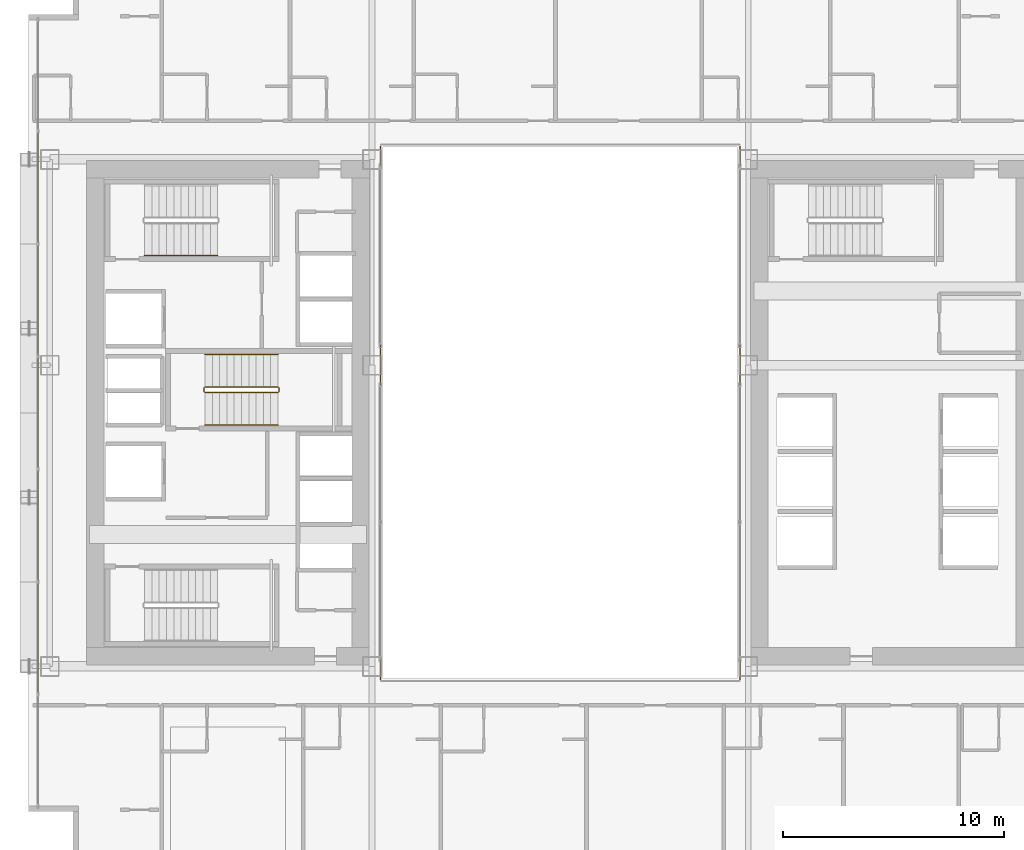
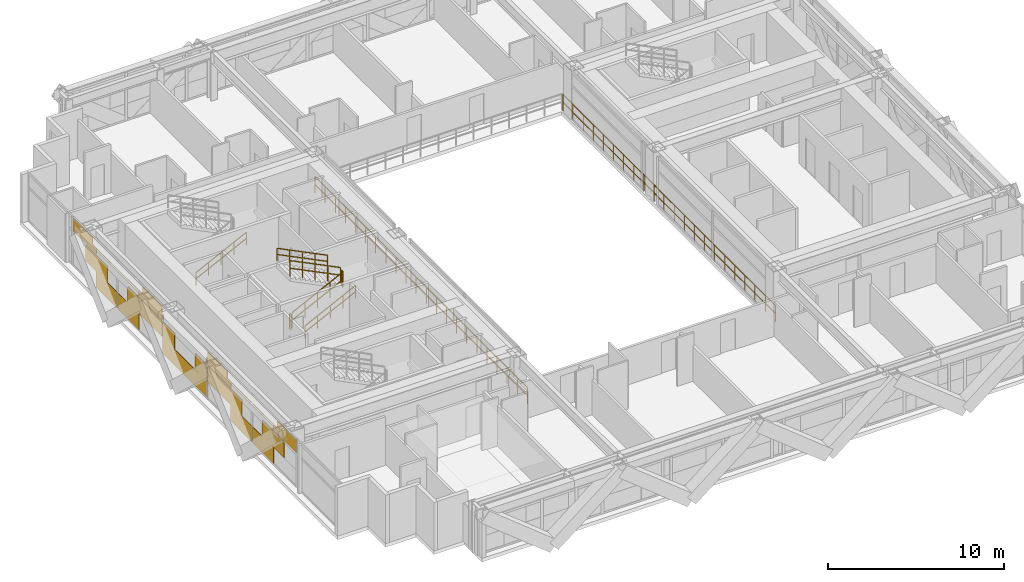
# One storey, part 39 of 41: 9 railings, 1 covering.
"""IFC4 building model written with IfcOpenShell, lengths in metres."""

from ifc_helpers import new_model, si_unit, direction, frame, origin, origin_2d, place, context, subcontext, project, spatial, rectangle, extrude, material, layer, layer_set, type_object, element, save


model = new_model("IFC4")

# Units and contexts
model_context = context("Model", 3, precision=1e-05, world=origin(), true_north=direction((0.0, 1.0)))
body_context = subcontext(model_context, "Body", "Model", "MODEL_VIEW")
ifc_project = project(units=[si_unit("LENGTHUNIT", "METRE"), si_unit("AREAUNIT", "SQUARE_METRE"), si_unit("VOLUMEUNIT", "CUBIC_METRE"), si_unit("PLANEANGLEUNIT", "RADIAN"), si_unit("MASSUNIT", "GRAM", prefix="KILO")], contexts=[model_context])

# Site, building, storey
site_placement = place(None, origin())
site = spatial("IfcSite", under=ifc_project, at=site_placement, CompositionType="ELEMENT")
building_placement = place(site_placement, origin())
building = spatial("IfcBuilding", under=site, at=building_placement, Name="Ocotamira Hotel", CompositionType="ELEMENT")
storey_placement = place(building_placement, frame((0.0, 0.0, 52.800048828125)))
storey = spatial("IfcBuildingStorey", under=building, at=storey_placement, Name="L12", CompositionType="ELEMENT", Elevation=52.800048828125)

# Covering
ifc_material_1 = material(Name="Insulated pale-metal aluminium spandrel panel", Category="aluminium")
ifc_layer = layer(ifc_material_1, 0.044921875)
ifc_layer_set = layer_set([ifc_layer], Name="Insulated pale-metal aluminium spandrel panel")
covering_type = type_object("IfcCoveringType", Name="COV-INFILL-45", PredefinedType="CLADDING", material=ifc_layer_set)
covering_placement = place(storey_placement, origin())
element("IfcCovering", 1, at=covering_placement, inside=storey, type_object=covering_type, Name="L12 Curtain Wall Infill CW-2 CW-L12-W", PredefinedType="CLADDING", context=body_context, shape_type="SweptSolid", body=[
    extrude(rectangle(XDim=2.49658203125, YDim=0.044921875, at=origin_2d()), frame((8.419921875, 15.977783203125, 1.194091796875), z_axis=(0.0, 0.0, 1.0), x_axis=(0.0, 1.0, 0.0)), (0.0, 0.0, 1.0), 1.11767578125),
    extrude(rectangle(XDim=2.415283203125, YDim=0.044921875, at=origin_2d()), frame((8.419921875, 17.123291015625, 0.075439453125), z_axis=(0.0, 0.0, 1.0), x_axis=(0.0, 1.0, 0.0)), (0.0, 0.0, 1.0), 1.11767578125),
    extrude(rectangle(XDim=2.634521484375, YDim=0.044921875, at=origin_2d()), frame((8.419921875, 14.6435546875, 2.38818359375), z_axis=(0.0, 0.0, 1.0), x_axis=(0.0, 1.0, 0.0)), (0.0, 0.0, 1.0), 0.366943359375),
    extrude(rectangle(XDim=5.004638671875, YDim=0.044921875, at=origin_2d()), frame((8.419921875, 15.82861328125, 2.755859375), z_axis=(0.0, 0.0, 1.0), x_axis=(0.0, 1.0, 0.0)), (0.0, 0.0, 1.0), 0.033203125),
    extrude(rectangle(XDim=2.2080078125, YDim=0.044921875, at=origin_2d()), frame((8.419921875, 14.43017578125, 2.79052734375), z_axis=(0.0, 0.0, 1.0), x_axis=(0.0, 1.0, 0.0)), (0.0, 0.0, 1.0), 0.484130859375),
    extrude(rectangle(XDim=2.40576171875, YDim=0.044921875, at=origin_2d()), frame((8.419921875, 19.61474609375, 0.075439453125), z_axis=(0.0, 0.0, 1.0), x_axis=(0.0, 1.0, 0.0)), (0.0, 0.0, 1.0), 1.11767578125),
    extrude(rectangle(XDim=3.90966796875, YDim=0.044921875, at=origin_2d()), frame((8.419921875, 21.4619140625, 1.194091796875), z_axis=(0.0, 0.0, 1.0), x_axis=(0.0, 1.0, 0.0)), (0.0, 0.0, 1.0), 1.11767578125),
    extrude(rectangle(XDim=5.004638671875, YDim=0.044921875, at=origin_2d()), frame((8.419921875, 20.914306640625, 2.755859375), z_axis=(0.0, 0.0, 1.0), x_axis=(0.0, 1.0, 0.0)), (0.0, 0.0, 1.0), 0.033203125),
    extrude(rectangle(XDim=2.64404296875, YDim=0.044921875, at=origin_2d()), frame((8.419921875, 22.094482421875, 2.38818359375), z_axis=(0.0, 0.0, 1.0), x_axis=(0.0, 1.0, 0.0)), (0.0, 0.0, 1.0), 0.366943359375),
    extrude(rectangle(XDim=2.217529296875, YDim=0.044921875, at=origin_2d()), frame((8.419921875, 22.307861328125, 2.79052734375), z_axis=(0.0, 0.0, 1.0), x_axis=(0.0, 1.0, 0.0)), (0.0, 0.0, 1.0), 0.484130859375),
    extrude(rectangle(XDim=5.004638671875, YDim=0.044921875, at=origin_2d()), frame((8.419921875, 26.0, 0.075439453125), z_axis=(0.0, 0.0, 1.0), x_axis=(0.0, 1.0, 0.0)), (0.0, 0.0, 1.0), 1.11767578125),
    extrude(rectangle(XDim=1.362060546875, YDim=0.044921875, at=origin_2d()), frame((8.419921875, 24.1787109375, 1.194091796875), z_axis=(0.0, 0.0, 1.0), x_axis=(0.0, 1.0, 0.0)), (0.0, 0.0, 1.0), 1.11767578125),
    extrude(rectangle(XDim=1.362060546875, YDim=0.044921875, at=origin_2d()), frame((8.419921875, 27.8212890625, 1.194091796875), z_axis=(0.0, 0.0, 1.0), x_axis=(0.0, 1.0, 0.0)), (0.0, 0.0, 1.0), 1.11767578125),
    extrude(rectangle(XDim=0.096435546875, YDim=0.044921875, at=origin_2d()), frame((8.419921875, 23.5458984375, 2.387939453125), z_axis=(0.0, 0.0, 1.0), x_axis=(0.0, 1.0, 0.0)), (0.0, 0.0, 1.0), 0.4013671875),
    extrude(rectangle(XDim=0.096435546875, YDim=0.044921875, at=origin_2d()), frame((8.419921875, 28.4541015625, 2.387939453125), z_axis=(0.0, 0.0, 1.0), x_axis=(0.0, 1.0, 0.0)), (0.0, 0.0, 1.0), 0.4013671875),
    extrude(rectangle(XDim=3.90966796875, YDim=0.044921875, at=origin_2d()), frame((8.419921875, 30.5380859375, 1.194091796875), z_axis=(0.0, 0.0, 1.0), x_axis=(0.0, 1.0, 0.0)), (0.0, 0.0, 1.0), 1.11767578125),
    extrude(rectangle(XDim=2.40576171875, YDim=0.044921875, at=origin_2d()), frame((8.419921875, 32.38525390625, 0.075439453125), z_axis=(0.0, 0.0, 1.0), x_axis=(0.0, 1.0, 0.0)), (0.0, 0.0, 1.0), 1.11767578125),
    extrude(rectangle(XDim=2.64404296875, YDim=0.044921875, at=origin_2d()), frame((8.419921875, 29.905517578125, 2.38818359375), z_axis=(0.0, 0.0, 1.0), x_axis=(0.0, 1.0, 0.0)), (0.0, 0.0, 1.0), 0.366943359375),
    extrude(rectangle(XDim=5.004638671875, YDim=0.044921875, at=origin_2d()), frame((8.419921875, 31.085693359375, 2.755859375), z_axis=(0.0, 0.0, 1.0), x_axis=(0.0, 1.0, 0.0)), (0.0, 0.0, 1.0), 0.033203125),
    extrude(rectangle(XDim=2.217529296875, YDim=0.044921875, at=origin_2d()), frame((8.419921875, 29.692138671875, 2.79052734375), z_axis=(0.0, 0.0, 1.0), x_axis=(0.0, 1.0, 0.0)), (0.0, 0.0, 1.0), 0.484130859375),
    extrude(rectangle(XDim=2.415283203125, YDim=0.044921875, at=origin_2d()), frame((8.419921875, 34.876708984375, 0.075439453125), z_axis=(0.0, 0.0, 1.0), x_axis=(0.0, 1.0, 0.0)), (0.0, 0.0, 1.0), 1.11767578125),
    extrude(rectangle(XDim=2.49658203125, YDim=0.044921875, at=origin_2d()), frame((8.419921875, 36.022216796875, 1.194091796875), z_axis=(0.0, 0.0, 1.0), x_axis=(0.0, 1.0, 0.0)), (0.0, 0.0, 1.0), 1.11767578125),
    extrude(rectangle(XDim=5.004638671875, YDim=0.044921875, at=origin_2d()), frame((8.419921875, 36.17138671875, 2.755859375), z_axis=(0.0, 0.0, 1.0), x_axis=(0.0, 1.0, 0.0)), (0.0, 0.0, 1.0), 0.033203125),
    extrude(rectangle(XDim=2.634521484375, YDim=0.044921875, at=origin_2d()), frame((8.419921875, 37.3564453125, 2.38818359375), z_axis=(0.0, 0.0, 1.0), x_axis=(0.0, 1.0, 0.0)), (0.0, 0.0, 1.0), 0.366943359375),
    extrude(rectangle(XDim=2.2080078125, YDim=0.044921875, at=origin_2d()), frame((8.419921875, 37.56982421875, 2.79052734375), z_axis=(0.0, 0.0, 1.0), x_axis=(0.0, 1.0, 0.0)), (0.0, 0.0, 1.0), 0.484130859375),
])

# Railings
ifc_material_2 = material(Name="Painted steel stair guardrail", Category="steel")
railing_type_1 = type_object("IfcRailingType", Name="RL-EDGE-1150", PredefinedType="GUARDRAIL", material=ifc_material_2)
railing_1_placement = place(storey_placement, frame((40.1201171875, 13.9599609375, 0.0)))
element("IfcRailing", 2, at=railing_1_placement, inside=storey, type_object=railing_type_1, Name="L12 Central Atrium Edge Guardrail E", PredefinedType="GUARDRAIL", context=body_context, shape_type="SweptSolid", body=[
    extrude(rectangle(XDim=0.048095703125, YDim=0.048095703125, at=origin_2d()), frame((0.0, 0.0, 1.1259765625), z_axis=(0.0, 1.0, 0.0), x_axis=(-1.0, 0.0, 0.0)), (0.0, 0.0, 1.0), 24.080078125),
    extrude(rectangle(XDim=0.048095703125, YDim=0.048095703125, at=origin_2d()), frame((0.0, 0.0, 0.574951171875), z_axis=(0.0, 1.0, 0.0), x_axis=(-1.0, 0.0, 0.0)), (0.0, 0.0, 1.0), 24.080078125),
    extrude(rectangle(XDim=0.0419921875, YDim=0.0419921875, at=origin_2d()), origin(), (0.0, 0.0, 1.0), 1.101806640625),
    extrude(rectangle(XDim=0.0419921875, YDim=0.0419921875, at=origin_2d()), frame((0.0, 1.146728515625, 0.0)), (0.0, 0.0, 1.0), 1.101806640625),
    extrude(rectangle(XDim=0.0419921875, YDim=0.0419921875, at=origin_2d()), frame((0.0, 2.29345703125, 0.0)), (0.0, 0.0, 1.0), 1.101806640625),
    extrude(rectangle(XDim=0.0419921875, YDim=0.0419921875, at=origin_2d()), frame((0.0, 3.43994140625, 0.0)), (0.0, 0.0, 1.0), 1.101806640625),
    extrude(rectangle(XDim=0.0419921875, YDim=0.0419921875, at=origin_2d()), frame((0.0, 4.586669921875, 0.0)), (0.0, 0.0, 1.0), 1.101806640625),
    extrude(rectangle(XDim=0.0419921875, YDim=0.0419921875, at=origin_2d()), frame((0.0, 5.7333984375, 0.0)), (0.0, 0.0, 1.0), 1.101806640625),
    extrude(rectangle(XDim=0.0419921875, YDim=0.0419921875, at=origin_2d()), frame((0.0, 6.880126953125, 0.0)), (0.0, 0.0, 1.0), 1.101806640625),
    extrude(rectangle(XDim=0.0419921875, YDim=0.0419921875, at=origin_2d()), frame((0.0, 8.026611328125, 0.0)), (0.0, 0.0, 1.0), 1.101806640625),
    extrude(rectangle(XDim=0.0419921875, YDim=0.0419921875, at=origin_2d()), frame((0.0, 9.17333984375, 0.0)), (0.0, 0.0, 1.0), 1.101806640625),
    extrude(rectangle(XDim=0.0419921875, YDim=0.0419921875, at=origin_2d()), frame((0.0, 10.320068359375, 0.0)), (0.0, 0.0, 1.0), 1.101806640625),
    extrude(rectangle(XDim=0.0419921875, YDim=0.0419921875, at=origin_2d()), frame((0.0, 11.466796875, 0.0)), (0.0, 0.0, 1.0), 1.101806640625),
    extrude(rectangle(XDim=0.0419921875, YDim=0.0419921875, at=origin_2d()), frame((0.0, 12.61328125, 0.0)), (0.0, 0.0, 1.0), 1.101806640625),
    extrude(rectangle(XDim=0.0419921875, YDim=0.0419921875, at=origin_2d()), frame((0.0, 13.760009765625, 0.0)), (0.0, 0.0, 1.0), 1.101806640625),
    extrude(rectangle(XDim=0.0419921875, YDim=0.0419921875, at=origin_2d()), frame((0.0, 14.90673828125, 0.0)), (0.0, 0.0, 1.0), 1.101806640625),
    extrude(rectangle(XDim=0.0419921875, YDim=0.0419921875, at=origin_2d()), frame((0.0, 16.053466796875, 0.0)), (0.0, 0.0, 1.0), 1.101806640625),
    extrude(rectangle(XDim=0.0419921875, YDim=0.0419921875, at=origin_2d()), frame((0.0, 17.199951171875, 0.0)), (0.0, 0.0, 1.0), 1.101806640625),
    extrude(rectangle(XDim=0.0419921875, YDim=0.0419921875, at=origin_2d()), frame((0.0, 18.3466796875, 0.0)), (0.0, 0.0, 1.0), 1.101806640625),
    extrude(rectangle(XDim=0.0419921875, YDim=0.0419921875, at=origin_2d()), frame((0.0, 19.493408203125, 0.0)), (0.0, 0.0, 1.0), 1.101806640625),
    extrude(rectangle(XDim=0.0419921875, YDim=0.0419921875, at=origin_2d()), frame((0.0, 20.64013671875, 0.0)), (0.0, 0.0, 1.0), 1.101806640625),
    extrude(rectangle(XDim=0.0419921875, YDim=0.0419921875, at=origin_2d()), frame((0.0, 21.78662109375, 0.0)), (0.0, 0.0, 1.0), 1.101806640625),
    extrude(rectangle(XDim=0.0419921875, YDim=0.0419921875, at=origin_2d()), frame((0.0, 22.933349609375, 0.0)), (0.0, 0.0, 1.0), 1.101806640625),
    extrude(rectangle(XDim=0.0419921875, YDim=0.0419921875, at=origin_2d()), frame((0.0, 24.080078125, 0.0)), (0.0, 0.0, 1.0), 1.101806640625),
])
railing_2_placement = place(storey_placement, frame((23.8798828125, 38.0400390625, 0.0)))
element("IfcRailing", 3, at=railing_2_placement, inside=storey, type_object=railing_type_1, Name="L12 Central Atrium Edge Guardrail W", PredefinedType="GUARDRAIL", context=body_context, shape_type="SweptSolid", body=[
    extrude(rectangle(XDim=0.048095703125, YDim=0.048095703125, at=origin_2d()), frame((0.0, 0.0, 1.1259765625), z_axis=(0.0, -1.0, 0.0), x_axis=(1.0, 0.0, 0.0)), (0.0, 0.0, 1.0), 24.080078125),
    extrude(rectangle(XDim=0.048095703125, YDim=0.048095703125, at=origin_2d()), frame((0.0, 0.0, 0.574951171875), z_axis=(0.0, -1.0, 0.0), x_axis=(1.0, 0.0, 0.0)), (0.0, 0.0, 1.0), 24.080078125),
    extrude(rectangle(XDim=0.0419921875, YDim=0.0419921875, at=origin_2d()), origin(), (0.0, 0.0, 1.0), 1.101806640625),
    extrude(rectangle(XDim=0.0419921875, YDim=0.0419921875, at=origin_2d()), frame((0.0, -1.146728515625, 0.0)), (0.0, 0.0, 1.0), 1.101806640625),
    extrude(rectangle(XDim=0.0419921875, YDim=0.0419921875, at=origin_2d()), frame((0.0, -2.29345703125, 0.0)), (0.0, 0.0, 1.0), 1.101806640625),
    extrude(rectangle(XDim=0.0419921875, YDim=0.0419921875, at=origin_2d()), frame((0.0, -3.43994140625, 0.0)), (0.0, 0.0, 1.0), 1.101806640625),
    extrude(rectangle(XDim=0.0419921875, YDim=0.0419921875, at=origin_2d()), frame((0.0, -4.586669921875, 0.0)), (0.0, 0.0, 1.0), 1.101806640625),
    extrude(rectangle(XDim=0.0419921875, YDim=0.0419921875, at=origin_2d()), frame((0.0, -5.7333984375, 0.0)), (0.0, 0.0, 1.0), 1.101806640625),
    extrude(rectangle(XDim=0.0419921875, YDim=0.0419921875, at=origin_2d()), frame((0.0, -6.880126953125, 0.0)), (0.0, 0.0, 1.0), 1.101806640625),
    extrude(rectangle(XDim=0.0419921875, YDim=0.0419921875, at=origin_2d()), frame((0.0, -8.026611328125, 0.0)), (0.0, 0.0, 1.0), 1.101806640625),
    extrude(rectangle(XDim=0.0419921875, YDim=0.0419921875, at=origin_2d()), frame((0.0, -9.17333984375, 0.0)), (0.0, 0.0, 1.0), 1.101806640625),
    extrude(rectangle(XDim=0.0419921875, YDim=0.0419921875, at=origin_2d()), frame((0.0, -10.320068359375, 0.0)), (0.0, 0.0, 1.0), 1.101806640625),
    extrude(rectangle(XDim=0.0419921875, YDim=0.0419921875, at=origin_2d()), frame((0.0, -11.466796875, 0.0)), (0.0, 0.0, 1.0), 1.101806640625),
    extrude(rectangle(XDim=0.0419921875, YDim=0.0419921875, at=origin_2d()), frame((0.0, -12.61328125, 0.0)), (0.0, 0.0, 1.0), 1.101806640625),
    extrude(rectangle(XDim=0.0419921875, YDim=0.0419921875, at=origin_2d()), frame((0.0, -13.760009765625, 0.0)), (0.0, 0.0, 1.0), 1.101806640625),
    extrude(rectangle(XDim=0.0419921875, YDim=0.0419921875, at=origin_2d()), frame((0.0, -14.90673828125, 0.0)), (0.0, 0.0, 1.0), 1.101806640625),
    extrude(rectangle(XDim=0.0419921875, YDim=0.0419921875, at=origin_2d()), frame((0.0, -16.053466796875, 0.0)), (0.0, 0.0, 1.0), 1.101806640625),
    extrude(rectangle(XDim=0.0419921875, YDim=0.0419921875, at=origin_2d()), frame((0.0, -17.199951171875, 0.0)), (0.0, 0.0, 1.0), 1.101806640625),
    extrude(rectangle(XDim=0.0419921875, YDim=0.0419921875, at=origin_2d()), frame((0.0, -18.3466796875, 0.0)), (0.0, 0.0, 1.0), 1.101806640625),
    extrude(rectangle(XDim=0.0419921875, YDim=0.0419921875, at=origin_2d()), frame((0.0, -19.493408203125, 0.0)), (0.0, 0.0, 1.0), 1.101806640625),
    extrude(rectangle(XDim=0.0419921875, YDim=0.0419921875, at=origin_2d()), frame((0.0, -20.64013671875, 0.0)), (0.0, 0.0, 1.0), 1.101806640625),
    extrude(rectangle(XDim=0.0419921875, YDim=0.0419921875, at=origin_2d()), frame((0.0, -21.78662109375, 0.0)), (0.0, 0.0, 1.0), 1.101806640625),
    extrude(rectangle(XDim=0.0419921875, YDim=0.0419921875, at=origin_2d()), frame((0.0, -22.933349609375, 0.0)), (0.0, 0.0, 1.0), 1.101806640625),
    extrude(rectangle(XDim=0.0419921875, YDim=0.0419921875, at=origin_2d()), frame((0.0, -24.080078125, 0.0)), (0.0, 0.0, 1.0), 1.101806640625),
])
ifc_material_3 = material(Name="Brushed stainless steel handrail", Category="steel")
railing_type_2 = type_object("IfcRailingType", Name="RL-HAND-900", PredefinedType="HANDRAIL", material=ifc_material_3)
for number, where, name in (
    (4, (13.22998046875, 33.10009765625, 0.3271484375), "L12 ST-2 stair handrail 1"),
    (5, (15.9599609375, 25.449951171875, 0.3271484375), "L12 ST-3 stair handrail 1"),
):
    element("IfcRailing", number, at=place(storey_placement, frame(where)), inside=storey, type_object=railing_type_2, Name=name, PredefinedType="HANDRAIL", context=body_context, shape_type="SweptSolid", body=[
        extrude(rectangle(XDim=0.048095703125, YDim=0.048095703125, at=origin_2d()), frame((0.0, 0.0, 0.8759765625), z_axis=(0.895893744519, 0.0, 0.4442683857), x_axis=(0.0, 1.0, 0.0)), (0.0, 0.0, 1.0), 3.68359375),
        extrude(rectangle(XDim=0.048095703125, YDim=0.048095703125, at=origin_2d()), frame((0.0, 0.0, 0.449951171875), z_axis=(0.895893744519, 0.0, 0.4442683857), x_axis=(0.0, 1.0, 0.0)), (0.0, 0.0, 1.0), 3.68359375),
        extrude(rectangle(XDim=0.0419921875, YDim=0.0419921875, at=origin_2d()), origin(), (0.0, 0.0, 1.0), 0.851806640625),
        extrude(rectangle(XDim=0.0419921875, YDim=0.0419921875, at=origin_2d()), frame((0.824951171875, 0.0, 0.4091796875)), (0.0, 0.0, 1.0), 0.851806640625),
        extrude(rectangle(XDim=0.0419921875, YDim=0.0419921875, at=origin_2d()), frame((1.64990234375, 0.0, 0.818359375)), (0.0, 0.0, 1.0), 0.851806640625),
        extrude(rectangle(XDim=0.0419921875, YDim=0.0419921875, at=origin_2d()), frame((2.47509765625, 0.0, 1.227294921875)), (0.0, 0.0, 1.0), 0.851806640625),
        extrude(rectangle(XDim=0.0419921875, YDim=0.0419921875, at=origin_2d()), frame((3.300048828125, 0.0, 1.636474609375)), (0.0, 0.0, 1.0), 0.851806640625),
    ])
railing_3_placement = place(storey_placement, frame((19.260009765625, 28.6298828125, 2.127197265625)))
element("IfcRailing", 6, at=railing_3_placement, inside=storey, type_object=railing_type_2, Name="L12 ST-3 stair handrail 2", PredefinedType="HANDRAIL", context=body_context, shape_type="SweptSolid", body=[
    extrude(rectangle(XDim=0.048095703125, YDim=0.048095703125, at=origin_2d()), frame((0.0, 0.0, 0.8759765625), z_axis=(-0.895893744519, 0.0, 0.4442683857), x_axis=(0.0, -1.0, 0.0)), (0.0, 0.0, 1.0), 3.68359375),
    extrude(rectangle(XDim=0.048095703125, YDim=0.048095703125, at=origin_2d()), frame((0.0, 0.0, 0.449951171875), z_axis=(-0.895893744519, 0.0, 0.4442683857), x_axis=(0.0, -1.0, 0.0)), (0.0, 0.0, 1.0), 3.68359375),
    extrude(rectangle(XDim=0.0419921875, YDim=0.0419921875, at=origin_2d()), origin(), (0.0, 0.0, 1.0), 0.851806640625),
    extrude(rectangle(XDim=0.0419921875, YDim=0.0419921875, at=origin_2d()), frame((-0.824951171875, 0.0, 0.4091796875)), (0.0, 0.0, 1.0), 0.851806640625),
    extrude(rectangle(XDim=0.0419921875, YDim=0.0419921875, at=origin_2d()), frame((-1.64990234375, 0.0, 0.818359375)), (0.0, 0.0, 1.0), 0.851806640625),
    extrude(rectangle(XDim=0.0419921875, YDim=0.0419921875, at=origin_2d()), frame((-2.47509765625, 0.0, 1.227294921875)), (0.0, 0.0, 1.0), 0.851806640625),
    extrude(rectangle(XDim=0.0419921875, YDim=0.0419921875, at=origin_2d()), frame((-3.300048828125, 0.0, 1.636474609375)), (0.0, 0.0, 1.0), 0.851806640625),
])
railing_type_3 = type_object("IfcRailingType", Name="RL-STAIR-1100", PredefinedType="GUARDRAIL", material=ifc_material_2)
railing_4_placement = place(storey_placement, frame((15.9599609375, 26.909912109375, 0.16357421875)))
element("IfcRailing", 7, at=railing_4_placement, inside=storey, type_object=railing_type_3, Name="L12 ST-3 stair guard 1", PredefinedType="GUARDRAIL", context=body_context, shape_type="SweptSolid", body=[
    extrude(rectangle(XDim=0.048095703125, YDim=0.048095703125, at=origin_2d()), frame((0.0, 0.0, 1.076171875), z_axis=(0.895893744519, 0.0, 0.4442683857), x_axis=(0.0, 1.0, 0.0)), (0.0, 0.0, 1.0), 3.68359375),
    extrude(rectangle(XDim=0.048095703125, YDim=0.048095703125, at=origin_2d()), frame((0.0, 0.0, 0.550048828125), z_axis=(0.895893744519, 0.0, 0.4442683857), x_axis=(0.0, 1.0, 0.0)), (0.0, 0.0, 1.0), 3.68359375),
    extrude(rectangle(XDim=0.0419921875, YDim=0.0419921875, at=origin_2d()), origin(), (0.0, 0.0, 1.0), 1.052001953125),
    extrude(rectangle(XDim=0.0419921875, YDim=0.0419921875, at=origin_2d()), frame((0.824951171875, 0.0, 0.4091796875)), (0.0, 0.0, 1.0), 1.052001953125),
    extrude(rectangle(XDim=0.0419921875, YDim=0.0419921875, at=origin_2d()), frame((1.64990234375, 0.0, 0.818359375)), (0.0, 0.0, 1.0), 1.052001953125),
    extrude(rectangle(XDim=0.0419921875, YDim=0.0419921875, at=origin_2d()), frame((2.47509765625, 0.0, 1.227294921875)), (0.0, 0.0, 1.0), 1.052001953125),
    extrude(rectangle(XDim=0.0419921875, YDim=0.0419921875, at=origin_2d()), frame((3.300048828125, 0.0, 1.636474609375)), (0.0, 0.0, 1.0), 1.052001953125),
])
railing_5_placement = place(storey_placement, frame((19.31005859375, 26.9599609375, 1.800048828125)))
element("IfcRailing", 8, at=railing_5_placement, inside=storey, type_object=railing_type_3, Name="L12 ST-3 stair guard 2", PredefinedType="GUARDRAIL", context=body_context, shape_type="SweptSolid", body=[
    extrude(rectangle(XDim=0.048095703125, YDim=0.048095703125, at=origin_2d()), frame((0.0, 0.0, 1.076171875), z_axis=(0.0, 1.0, 0.0), x_axis=(-1.0, 0.0, 0.0)), (0.0, 0.0, 1.0), 0.16015625),
    extrude(rectangle(XDim=0.048095703125, YDim=0.048095703125, at=origin_2d()), frame((0.0, 0.0, 0.550048828125), z_axis=(0.0, 1.0, 0.0), x_axis=(-1.0, 0.0, 0.0)), (0.0, 0.0, 1.0), 0.16015625),
    extrude(rectangle(XDim=0.0419921875, YDim=0.0419921875, at=origin_2d()), origin(), (0.0, 0.0, 1.0), 1.052001953125),
    extrude(rectangle(XDim=0.0419921875, YDim=0.0419921875, at=origin_2d()), frame((0.0, 0.16015625, 0.0)), (0.0, 0.0, 1.0), 1.052001953125),
])
railing_6_placement = place(storey_placement, frame((19.260009765625, 27.169921875, 1.963623046875)))
element("IfcRailing", 9, at=railing_6_placement, inside=storey, type_object=railing_type_3, Name="L12 ST-3 stair guard 3", PredefinedType="GUARDRAIL", context=body_context, shape_type="SweptSolid", body=[
    extrude(rectangle(XDim=0.048095703125, YDim=0.048095703125, at=origin_2d()), frame((0.0, 0.0, 1.076171875), z_axis=(-0.895920123917, 0.0, 0.444215186098), x_axis=(0.0, -1.0, 0.0)), (0.0, 0.0, 1.0), 3.683349609375),
    extrude(rectangle(XDim=0.048095703125, YDim=0.048095703125, at=origin_2d()), frame((0.0, 0.0, 0.550048828125), z_axis=(-0.895920123917, 0.0, 0.444215186098), x_axis=(0.0, -1.0, 0.0)), (0.0, 0.0, 1.0), 3.683349609375),
    extrude(rectangle(XDim=0.0419921875, YDim=0.0419921875, at=origin_2d()), origin(), (0.0, 0.0, 1.0), 1.052001953125),
    extrude(rectangle(XDim=0.0419921875, YDim=0.0419921875, at=origin_2d()), frame((-0.824951171875, 0.0, 0.4091796875)), (0.0, 0.0, 1.0), 1.052001953125),
    extrude(rectangle(XDim=0.0419921875, YDim=0.0419921875, at=origin_2d()), frame((-1.64990234375, 0.0, 0.818115234375)), (0.0, 0.0, 1.0), 1.052001953125),
    extrude(rectangle(XDim=0.0419921875, YDim=0.0419921875, at=origin_2d()), frame((-2.47509765625, 0.0, 1.22705078125)), (0.0, 0.0, 1.0), 1.052001953125),
    extrude(rectangle(XDim=0.0419921875, YDim=0.0419921875, at=origin_2d()), frame((-3.300048828125, 0.0, 1.63623046875)), (0.0, 0.0, 1.0), 1.052001953125),
])
railing_7_placement = place(storey_placement, frame((15.909912109375, 26.9599609375, 0.0)))
element("IfcRailing", 10, at=railing_7_placement, inside=storey, type_object=railing_type_3, Name="L12 ST-3 stair guard 4", PredefinedType="GUARDRAIL", context=body_context, shape_type="SweptSolid", body=[
    extrude(rectangle(XDim=0.048095703125, YDim=0.048095703125, at=origin_2d()), frame((0.0, 0.0, 1.076171875), z_axis=(0.0, 1.0, 0.0), x_axis=(-1.0, 0.0, 0.0)), (0.0, 0.0, 1.0), 0.16015625),
    extrude(rectangle(XDim=0.048095703125, YDim=0.048095703125, at=origin_2d()), frame((0.0, 0.0, 0.550048828125), z_axis=(0.0, 1.0, 0.0), x_axis=(-1.0, 0.0, 0.0)), (0.0, 0.0, 1.0), 0.16015625),
    extrude(rectangle(XDim=0.0419921875, YDim=0.0419921875, at=origin_2d()), origin(), (0.0, 0.0, 1.0), 1.052001953125),
    extrude(rectangle(XDim=0.0419921875, YDim=0.0419921875, at=origin_2d()), frame((0.0, 0.16015625, 0.0)), (0.0, 0.0, 1.0), 1.052001953125),
])

save(model, "model.ifc")
